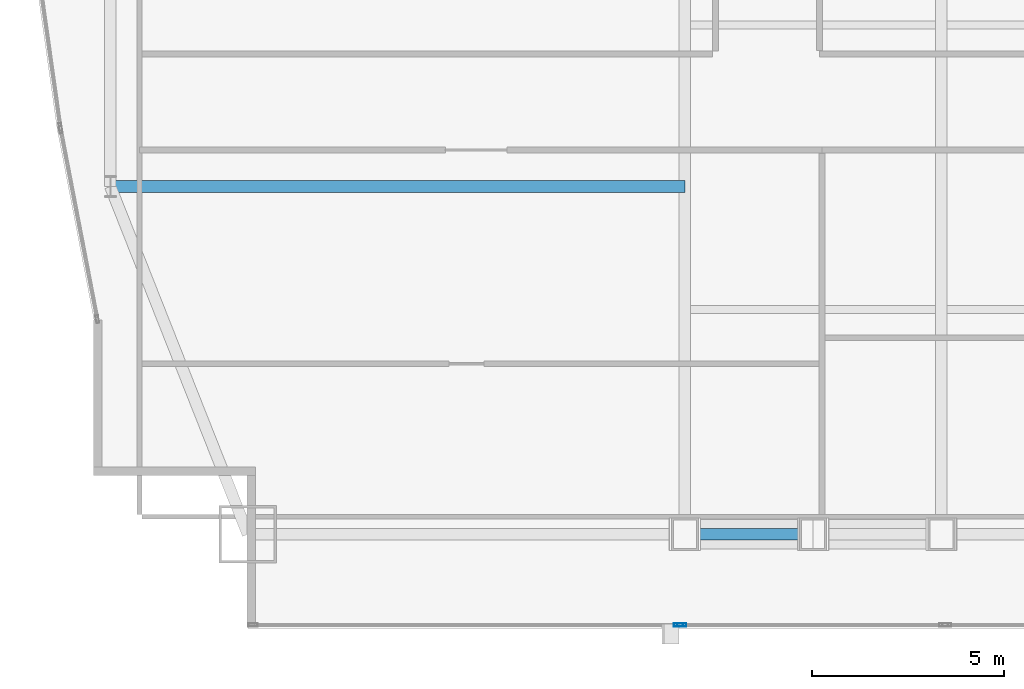
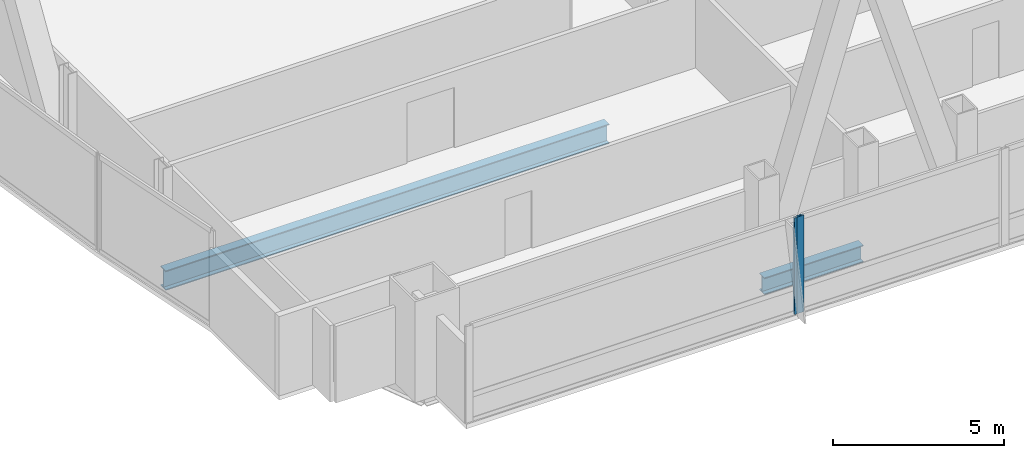
# One storey, part 7 of 33: 2 beams, 2 members, 2 elements without a shape of their own.
"""IFC4 building model written with IfcOpenShell, lengths in metres."""

from ifc_helpers import new_model, si_unit, direction, frame, origin, origin_2d, place, context, subcontext, project, spatial, hollow_rectangle, i_section, extrude, material, material_profile, profile_set, type_object, element, aggregate, save


model = new_model("IFC4")

# Units and contexts
model_context = context("Model", 3, precision=1e-05, world=origin(), true_north=direction((0.0, 1.0)))
body_context = subcontext(model_context, "Body", "Model", "MODEL_VIEW")
ifc_project = project(units=[si_unit("LENGTHUNIT", "METRE"), si_unit("AREAUNIT", "SQUARE_METRE"), si_unit("VOLUMEUNIT", "CUBIC_METRE"), si_unit("PLANEANGLEUNIT", "RADIAN"), si_unit("MASSUNIT", "GRAM", prefix="KILO")], contexts=[model_context])

# Site, building, storey
site_placement = place(None, origin())
site = spatial("IfcSite", under=ifc_project, at=site_placement, CompositionType="ELEMENT")
building_placement = place(site_placement, origin())
building = spatial("IfcBuilding", under=site, at=building_placement, Name="Khoronbel Lancet Exchange", CompositionType="ELEMENT")
storey_placement = place(building_placement, frame((0.0, 0.0, 118.199951171875)))
storey = spatial("IfcBuildingStorey", under=building, at=storey_placement, Name="L28", CompositionType="ELEMENT", Elevation=118.199951171875)

# Beams
ifc_material_1 = material(Name="Steel S355", Category="steel")
ifc_material_profile_1 = material_profile(ifc_material_1, i_section(OverallWidth=0.300048828125, OverallDepth=0.699951171875, WebThickness=0.01708984375, FlangeThickness=0.031982421875, at=origin_2d()), Name="HEB 700")
ifc_profile_set_1 = profile_set([ifc_material_profile_1], Name="Steel S355")
beam_type_1 = type_object("IfcBeamType", Name="BM-BG3", PredefinedType="BEAM", material=ifc_profile_set_1)
beam_1_placement = place(storey_placement, frame((3.27001953125, 19.199951171875, -0.510009765625), z_axis=(1.0, 0.0, 0.0), x_axis=(0.0, 1.0, 0.0)))
element("IfcBeam", 1, at=beam_1_placement, inside=storey, type_object=beam_type_1, Name="Level L28 west lens tie girder LG1W", PredefinedType="BEAM", context=body_context, shape_type="SweptSolid", body=[
    extrude(i_section(OverallWidth=0.300048828125, OverallDepth=0.699951171875, WebThickness=0.01708984375, FlangeThickness=0.031982421875, at=origin_2d()), origin(), (0.0, 0.0, 1.0), 14.955078125),
])
ifc_material_profile_2 = material_profile(ifc_material_1, i_section(OverallWidth=0.300048828125, OverallDepth=0.60009765625, WebThickness=0.015380859375, FlangeThickness=0.030029296875, at=origin_2d()), Name="HEB 600")
ifc_profile_set_2 = profile_set([ifc_material_profile_2], Name="Steel S355")
beam_type_2 = type_object("IfcBeamType", Name="BM-BSP2", PredefinedType="SPANDREL", material=ifc_profile_set_2)
beam_2_placement = place(storey_placement, frame((18.22509765625, 10.14990234375, -0.4599609375), z_axis=(1.0, 0.0, 0.0), x_axis=(0.0, 1.0, 0.0)))
element("IfcBeam", 2, at=beam_2_placement, inside=storey, type_object=beam_type_2, Name="Level L28 perimeter spandrel beam SP02", PredefinedType="SPANDREL", context=body_context, shape_type="SweptSolid", body=[
    extrude(i_section(OverallWidth=0.300048828125, OverallDepth=0.60009765625, WebThickness=0.015380859375, FlangeThickness=0.030029296875, at=origin_2d()), origin(), (0.0, 0.0, 1.0), 3.33740234375),
])

# Curtain wall, member
ifc_material_2 = material(Name="Low-E Solar Control Insulating Glass", Category="glass")
curtain_wall_type = type_object("IfcCurtainWallType", Name="CW-2", PredefinedType="NOTDEFINED", material=ifc_material_2)
curtain_wall_1_placement = place(storey_placement, origin())
curtain_wall_1 = element("IfcCurtainWall", 3, at=curtain_wall_1_placement, inside=storey, type_object=curtain_wall_type, Name="Unitised curtain wall CW-L28-SWV", PredefinedType="NOTDEFINED")
ifc_material_3 = material(Name="Bronze-Anodised Aluminium 6063-T6", Category="aluminium")
ifc_material_profile_3 = material_profile(ifc_material_3, hollow_rectangle(XDim=0.0849609375, YDim=0.239990234375, WallThickness=0.006103515625, at=origin_2d()), Name="ALU MULLION 85x240")
ifc_profile_set_3 = profile_set([ifc_material_profile_3], Name="Bronze-Anodised Aluminium 6063-T6")
member_type = type_object("IfcMemberType", Name="MEM-CWM1", PredefinedType="MULLION", material=ifc_profile_set_3)
member_1_placement = place(storey_placement, frame((18.0576171875, 7.7900390625, 0.0), z_axis=(0.0, 0.0, 1.0), x_axis=(0.0, 1.0, 0.0)))
member_1 = element("IfcMember", 4, at=member_1_placement, type_object=member_type, Name="CW2 mullion 2", PredefinedType="MULLION", context=body_context, shape_type="SweptSolid", body=[
    extrude(hollow_rectangle(XDim=0.0849609375, YDim=0.239990234375, WallThickness=0.006103515625, at=origin_2d()), origin(), (0.0, 0.0, 1.0), 3.43994140625),
])
aggregate(curtain_wall_1, [member_1])

curtain_wall_2_placement = place(storey_placement, origin())
curtain_wall_2 = element("IfcCurtainWall", 5, at=curtain_wall_2_placement, inside=storey, type_object=curtain_wall_type, Name="Unitised curtain wall CW-L28-SWB", PredefinedType="NOTDEFINED")
member_2_placement = place(storey_placement, frame((18.142578125, 7.7900390625, 0.0), z_axis=(0.0, 0.0, 1.0), x_axis=(0.0, 1.0, 0.0)))
member_2 = element("IfcMember", 6, at=member_2_placement, type_object=member_type, Name="CW2 mullion 1", PredefinedType="MULLION", context=body_context, shape_type="SweptSolid", body=[
    extrude(hollow_rectangle(XDim=0.0849609375, YDim=0.239990234375, WallThickness=0.006103515625, at=origin_2d()), origin(), (0.0, 0.0, 1.0), 3.43994140625),
])
aggregate(curtain_wall_2, [member_2])

save(model, "model.ifc")
